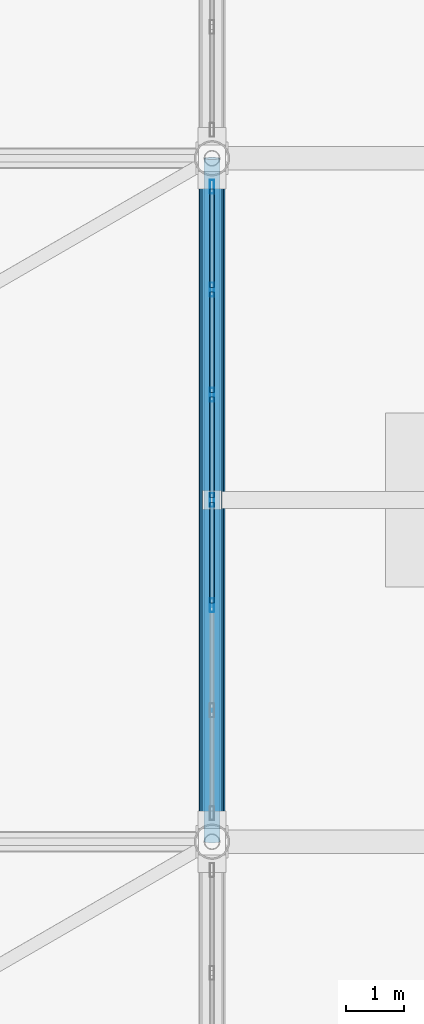
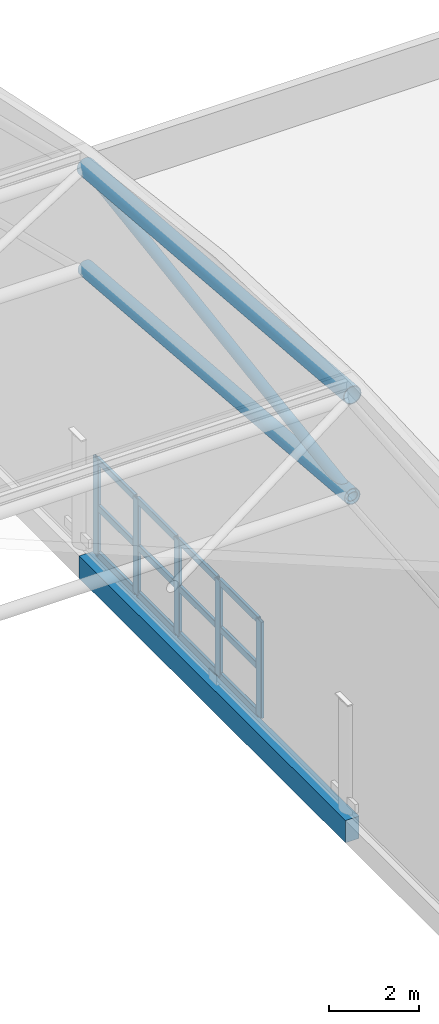
# One storey, part 60 of 135: 20 members, 1 beam, 1 element without a shape of its own.
"""IFC4 building model written with IfcOpenShell, lengths in metres."""

from ifc_helpers import new_model, si_unit, direction, frame, origin, origin_2d, place, context, subcontext, project, spatial, rectangle, hollow_rectangle, hollow_circle, extrude, material, material_profile, profile_set, type_object, element, aggregate, save


model = new_model("IFC4")

# Units and contexts
model_context = context("Model", 3, precision=1e-05, world=origin(), true_north=direction((0.0, 1.0)))
body_context = subcontext(model_context, "Body", "Model", "MODEL_VIEW")
ifc_project = project(units=[si_unit("LENGTHUNIT", "METRE"), si_unit("AREAUNIT", "SQUARE_METRE"), si_unit("VOLUMEUNIT", "CUBIC_METRE"), si_unit("PLANEANGLEUNIT", "RADIAN"), si_unit("MASSUNIT", "GRAM", prefix="KILO")], contexts=[model_context])

# Site, building, storey
site_placement = place(None, origin())
site = spatial("IfcSite", under=ifc_project, at=site_placement, CompositionType="ELEMENT")
building_placement = place(site_placement, origin())
building = spatial("IfcBuilding", under=site, at=building_placement, Name="Brelvane Convention Centre", CompositionType="ELEMENT")
storey_placement = place(building_placement, frame((0.0, 0.0, 15.0)))
storey = spatial("IfcBuildingStorey", under=building, at=storey_placement, Name="L03", CompositionType="ELEMENT", Elevation=15.0)

# Curtain wall, members
ifc_material_1 = material(Name="Anodised Aluminium Alloy 6063-T6", Category="aluminium")
curtain_wall_type = type_object("IfcCurtainWallType", Name="Curtain Wall CW-HULL-N", PredefinedType="USERDEFINED", material=ifc_material_1)
curtain_wall_placement = place(storey_placement, origin())
curtain_wall = element("IfcCurtainWall", 1, at=curtain_wall_placement, inside=storey, type_object=curtain_wall_type, Name="Curtain Wall CW-HULL-N L03-EXH-E-CLER-4", ObjectType="UNITISED", PredefinedType="USERDEFINED")
ifc_material_2 = material(Name="Anodised Aluminium Alloy 6063-T6", Category="aluminium")
ifc_material_profile_1 = material_profile(ifc_material_2, hollow_rectangle(XDim=0.080078125, YDim=0.239990234375, WallThickness=0.006103515625, InnerFilletRadius=0.006103515625, OuterFilletRadius=0.011962890625, at=origin_2d()), Name="ALU-M 240x80x6.0")
ifc_profile_set_1 = profile_set([ifc_material_profile_1], Name="Anodised Aluminium Alloy 6063-T6")
member_type_1 = type_object("IfcMemberType", Name="Curtain Mullion CW-M1", PredefinedType="MULLION", material=ifc_profile_set_1)
member_1_placement = place(storey_placement, frame((142.800048828125, 68.283447265625, 0.0), z_axis=(0.0, 0.0, 1.0), x_axis=(-1.0, 0.0, 0.0)))
member_1 = element("IfcMember", 2, at=member_1_placement, type_object=member_type_1, Name="CW-HULL-N mullion 3", PredefinedType="MULLION", context=body_context, shape_type="SweptSolid", body=[
    extrude(hollow_rectangle(XDim=0.080078125, YDim=0.239990234375, WallThickness=0.006103515625, InnerFilletRadius=0.006103515625, OuterFilletRadius=0.011962890625, at=origin_2d()), origin(), (0.0, 0.0, 1.0), 2.60009765625),
])
member_2_placement = place(storey_placement, frame((142.800048828125, 70.10009765625, 0.0), z_axis=(0.0, 0.0, 1.0), x_axis=(-1.0, 0.0, 0.0)))
member_2 = element("IfcMember", 3, at=member_2_placement, type_object=member_type_1, Name="CW-HULL-N mullion 4", PredefinedType="MULLION", context=body_context, shape_type="SweptSolid", body=[
    extrude(hollow_rectangle(XDim=0.080078125, YDim=0.239990234375, WallThickness=0.006103515625, InnerFilletRadius=0.006103515625, OuterFilletRadius=0.011962890625, at=origin_2d()), origin(), (0.0, 0.0, 1.0), 2.60009765625),
])
member_3_placement = place(storey_placement, frame((142.800048828125, 71.916748046875, 0.0), z_axis=(0.0, 0.0, 1.0), x_axis=(-1.0, 0.0, 0.0)))
member_3 = element("IfcMember", 4, at=member_3_placement, type_object=member_type_1, Name="CW-HULL-N mullion 5", PredefinedType="MULLION", context=body_context, shape_type="SweptSolid", body=[
    extrude(hollow_rectangle(XDim=0.080078125, YDim=0.239990234375, WallThickness=0.006103515625, InnerFilletRadius=0.006103515625, OuterFilletRadius=0.011962890625, at=origin_2d()), origin(), (0.0, 0.0, 1.0), 2.60009765625),
])
member_4_placement = place(storey_placement, frame((142.800048828125, 73.7333984375, 0.0), z_axis=(0.0, 0.0, 1.0), x_axis=(-1.0, 0.0, 0.0)))
member_4 = element("IfcMember", 5, at=member_4_placement, type_object=member_type_1, Name="CW-HULL-N mullion 6", PredefinedType="MULLION", context=body_context, shape_type="SweptSolid", body=[
    extrude(hollow_rectangle(XDim=0.080078125, YDim=0.239990234375, WallThickness=0.006103515625, InnerFilletRadius=0.006103515625, OuterFilletRadius=0.011962890625, at=origin_2d()), origin(), (0.0, 0.0, 1.0), 2.60009765625),
])
member_5_placement = place(storey_placement, frame((142.800048828125, 75.510009765625, 0.0), z_axis=(0.0, 0.0, 1.0), x_axis=(-1.0, 0.0, 0.0)))
member_5 = element("IfcMember", 6, at=member_5_placement, type_object=member_type_1, Name="CW-HULL-N mullion 7", PredefinedType="MULLION", context=body_context, shape_type="SweptSolid", body=[
    extrude(hollow_rectangle(XDim=0.080078125, YDim=0.239990234375, WallThickness=0.006103515625, InnerFilletRadius=0.006103515625, OuterFilletRadius=0.011962890625, at=origin_2d()), origin(), (0.0, 0.0, 1.0), 2.60009765625),
])
ifc_material_3 = material(Name="Anodised Aluminium Alloy 6063-T6", Category="aluminium")
ifc_material_profile_2 = material_profile(ifc_material_3, hollow_rectangle(XDim=0.080078125, YDim=0.179931640625, WallThickness=0.0048828125, InnerFilletRadius=0.0048828125, OuterFilletRadius=0.010009765625, at=origin_2d()), Name="ALU-T 180x80x5.0")
ifc_profile_set_2 = profile_set([ifc_material_profile_2], Name="Anodised Aluminium Alloy 6063-T6")
member_type_2 = type_object("IfcMemberType", Name="Curtain Transom CW-T1", PredefinedType="USERDEFINED", material=ifc_profile_set_2)
member_6_placement = place(storey_placement, frame((142.800048828125, 68.3232421875, 0.0400390625), z_axis=(0.0, 1.0, 0.0), x_axis=(-1.0, 0.0, 0.0)))
member_6 = element("IfcMember", 7, at=member_6_placement, type_object=member_type_2, Name="CW-HULL-N transom 3.1", ObjectType="TRANSOM", PredefinedType="USERDEFINED", context=body_context, shape_type="SweptSolid", body=[
    extrude(hollow_rectangle(XDim=0.080078125, YDim=0.179931640625, WallThickness=0.0048828125, InnerFilletRadius=0.0048828125, OuterFilletRadius=0.010009765625, at=origin_2d()), origin(), (0.0, 0.0, 1.0), 1.73681640625),
])
member_7_placement = place(storey_placement, frame((142.800048828125, 68.3232421875, 1.300048828125), z_axis=(0.0, 1.0, 0.0), x_axis=(-1.0, 0.0, 0.0)))
member_7 = element("IfcMember", 8, at=member_7_placement, type_object=member_type_2, Name="CW-HULL-N transom 3.2", ObjectType="TRANSOM", PredefinedType="USERDEFINED", context=body_context, shape_type="SweptSolid", body=[
    extrude(hollow_rectangle(XDim=0.080078125, YDim=0.179931640625, WallThickness=0.0048828125, InnerFilletRadius=0.0048828125, OuterFilletRadius=0.010009765625, at=origin_2d()), origin(), (0.0, 0.0, 1.0), 1.73681640625),
])
member_8_placement = place(storey_placement, frame((142.800048828125, 68.3232421875, 2.56005859375), z_axis=(0.0, 1.0, 0.0), x_axis=(-1.0, 0.0, 0.0)))
member_8 = element("IfcMember", 9, at=member_8_placement, type_object=member_type_2, Name="CW-HULL-N transom 3.3", ObjectType="TRANSOM", PredefinedType="USERDEFINED", context=body_context, shape_type="SweptSolid", body=[
    extrude(hollow_rectangle(XDim=0.080078125, YDim=0.179931640625, WallThickness=0.0048828125, InnerFilletRadius=0.0048828125, OuterFilletRadius=0.010009765625, at=origin_2d()), origin(), (0.0, 0.0, 1.0), 1.73681640625),
])
member_9_placement = place(storey_placement, frame((142.800048828125, 70.139892578125, 0.0400390625), z_axis=(0.0, 1.0, 0.0), x_axis=(-1.0, 0.0, 0.0)))
member_9 = element("IfcMember", 10, at=member_9_placement, type_object=member_type_2, Name="CW-HULL-N transom 4.1", ObjectType="TRANSOM", PredefinedType="USERDEFINED", context=body_context, shape_type="SweptSolid", body=[
    extrude(hollow_rectangle(XDim=0.080078125, YDim=0.179931640625, WallThickness=0.0048828125, InnerFilletRadius=0.0048828125, OuterFilletRadius=0.010009765625, at=origin_2d()), origin(), (0.0, 0.0, 1.0), 1.73681640625),
])
member_10_placement = place(storey_placement, frame((142.800048828125, 70.139892578125, 1.300048828125), z_axis=(0.0, 1.0, 0.0), x_axis=(-1.0, 0.0, 0.0)))
member_10 = element("IfcMember", 11, at=member_10_placement, type_object=member_type_2, Name="CW-HULL-N transom 4.2", ObjectType="TRANSOM", PredefinedType="USERDEFINED", context=body_context, shape_type="SweptSolid", body=[
    extrude(hollow_rectangle(XDim=0.080078125, YDim=0.179931640625, WallThickness=0.0048828125, InnerFilletRadius=0.0048828125, OuterFilletRadius=0.010009765625, at=origin_2d()), origin(), (0.0, 0.0, 1.0), 1.73681640625),
])
member_11_placement = place(storey_placement, frame((142.800048828125, 70.139892578125, 2.56005859375), z_axis=(0.0, 1.0, 0.0), x_axis=(-1.0, 0.0, 0.0)))
member_11 = element("IfcMember", 12, at=member_11_placement, type_object=member_type_2, Name="CW-HULL-N transom 4.3", ObjectType="TRANSOM", PredefinedType="USERDEFINED", context=body_context, shape_type="SweptSolid", body=[
    extrude(hollow_rectangle(XDim=0.080078125, YDim=0.179931640625, WallThickness=0.0048828125, InnerFilletRadius=0.0048828125, OuterFilletRadius=0.010009765625, at=origin_2d()), origin(), (0.0, 0.0, 1.0), 1.73681640625),
])
member_12_placement = place(storey_placement, frame((142.800048828125, 71.956787109375, 0.0400390625), z_axis=(0.0, 1.0, 0.0), x_axis=(-1.0, 0.0, 0.0)))
member_12 = element("IfcMember", 13, at=member_12_placement, type_object=member_type_2, Name="CW-HULL-N transom 5.1", ObjectType="TRANSOM", PredefinedType="USERDEFINED", context=body_context, shape_type="SweptSolid", body=[
    extrude(hollow_rectangle(XDim=0.080078125, YDim=0.179931640625, WallThickness=0.0048828125, InnerFilletRadius=0.0048828125, OuterFilletRadius=0.010009765625, at=origin_2d()), origin(), (0.0, 0.0, 1.0), 1.736572265625),
])
member_13_placement = place(storey_placement, frame((142.800048828125, 71.956787109375, 1.300048828125), z_axis=(0.0, 1.0, 0.0), x_axis=(-1.0, 0.0, 0.0)))
member_13 = element("IfcMember", 14, at=member_13_placement, type_object=member_type_2, Name="CW-HULL-N transom 5.2", ObjectType="TRANSOM", PredefinedType="USERDEFINED", context=body_context, shape_type="SweptSolid", body=[
    extrude(hollow_rectangle(XDim=0.080078125, YDim=0.179931640625, WallThickness=0.0048828125, InnerFilletRadius=0.0048828125, OuterFilletRadius=0.010009765625, at=origin_2d()), origin(), (0.0, 0.0, 1.0), 1.736572265625),
])
member_14_placement = place(storey_placement, frame((142.800048828125, 71.956787109375, 2.56005859375), z_axis=(0.0, 1.0, 0.0), x_axis=(-1.0, 0.0, 0.0)))
member_14 = element("IfcMember", 15, at=member_14_placement, type_object=member_type_2, Name="CW-HULL-N transom 5.3", ObjectType="TRANSOM", PredefinedType="USERDEFINED", context=body_context, shape_type="SweptSolid", body=[
    extrude(hollow_rectangle(XDim=0.080078125, YDim=0.179931640625, WallThickness=0.0048828125, InnerFilletRadius=0.0048828125, OuterFilletRadius=0.010009765625, at=origin_2d()), origin(), (0.0, 0.0, 1.0), 1.736572265625),
])
member_15_placement = place(storey_placement, frame((142.800048828125, 73.7734375, 0.0400390625), z_axis=(0.0, 1.0, 0.0), x_axis=(-1.0, 0.0, 0.0)))
member_15 = element("IfcMember", 16, at=member_15_placement, type_object=member_type_2, Name="CW-HULL-N transom 6.1", ObjectType="TRANSOM", PredefinedType="USERDEFINED", context=body_context, shape_type="SweptSolid", body=[
    extrude(hollow_rectangle(XDim=0.080078125, YDim=0.179931640625, WallThickness=0.0048828125, InnerFilletRadius=0.0048828125, OuterFilletRadius=0.010009765625, at=origin_2d()), origin(), (0.0, 0.0, 1.0), 1.696533203125),
])
member_16_placement = place(storey_placement, frame((142.800048828125, 73.7734375, 1.300048828125), z_axis=(0.0, 1.0, 0.0), x_axis=(-1.0, 0.0, 0.0)))
member_16 = element("IfcMember", 17, at=member_16_placement, type_object=member_type_2, Name="CW-HULL-N transom 6.2", ObjectType="TRANSOM", PredefinedType="USERDEFINED", context=body_context, shape_type="SweptSolid", body=[
    extrude(hollow_rectangle(XDim=0.080078125, YDim=0.179931640625, WallThickness=0.0048828125, InnerFilletRadius=0.0048828125, OuterFilletRadius=0.010009765625, at=origin_2d()), origin(), (0.0, 0.0, 1.0), 1.696533203125),
])
member_17_placement = place(storey_placement, frame((142.800048828125, 73.7734375, 2.56005859375), z_axis=(0.0, 1.0, 0.0), x_axis=(-1.0, 0.0, 0.0)))
member_17 = element("IfcMember", 18, at=member_17_placement, type_object=member_type_2, Name="CW-HULL-N transom 6.3", ObjectType="TRANSOM", PredefinedType="USERDEFINED", context=body_context, shape_type="SweptSolid", body=[
    extrude(hollow_rectangle(XDim=0.080078125, YDim=0.179931640625, WallThickness=0.0048828125, InnerFilletRadius=0.0048828125, OuterFilletRadius=0.010009765625, at=origin_2d()), origin(), (0.0, 0.0, 1.0), 1.696533203125),
])
aggregate(curtain_wall, [member_1, member_2, member_3, member_4, member_5, member_6, member_7, member_8, member_9, member_10, member_11, member_12, member_13, member_14, member_15, member_16, member_17])

# Beam
ifc_material_4 = material(Name="Concrete M40", Category="concrete")
ifc_material_profile_3 = material_profile(ifc_material_4, rectangle(XDim=0.35009765625, YDim=0.60009765625, at=origin_2d()), Name="RC 350x600")
ifc_profile_set_3 = profile_set([ifc_material_profile_3], Name="Concrete M40")
beam_type = type_object("IfcBeamType", Name="RC Spandrel SP-RC2 (RC 350x600)", PredefinedType="SPANDREL", material=ifc_profile_set_3)
beam_placement = place(storey_placement, frame((142.800048828125, 64.199951171875, -0.60009765625), z_axis=(0.0, 1.0, 0.0), x_axis=(-1.0, 0.0, 0.0)))
element("IfcBeam", 19, at=beam_placement, inside=storey, type_object=beam_type, Name="L03 Girder 15/G-H", PredefinedType="SPANDREL", context=body_context, shape_type="SweptSolid", body=[
    extrude(rectangle(XDim=0.35009765625, YDim=0.60009765625, at=origin_2d()), origin(), (0.0, 0.0, 1.0), 11.800048828125),
])

# Members
ifc_material_5 = material(Name="Steel E350 (350 MPa)", Category="steel")
ifc_material_profile_4 = material_profile(ifc_material_5, hollow_circle(Radius=0.136474609375, WallThickness=0.012451171875, at=origin_2d()), Name="CHS 273.0x12.5")
ifc_profile_set_4 = profile_set([ifc_material_profile_4], Name="Steel E350 (350 MPa)")
member_type_3 = type_object("IfcMemberType", Name="Steel Brace SF-DG1 (CHS 273.0x12.5)", PredefinedType="BRACE", material=ifc_profile_set_4)
member_18_placement = place(storey_placement, frame((142.800048828125, 64.199951171875, 8.39990234375), z_axis=(0.0, 0.989032056502, 0.147701019672), x_axis=(-1.0, 0.0, 0.0)))
element("IfcMember", 20, at=member_18_placement, inside=storey, type_object=member_type_3, Name="SF_EXH Space-Frame Web Diagonal D8.4", PredefinedType="BRACE", context=body_context, shape_type="SweptSolid", body=[
    extrude(hollow_circle(Radius=0.136474609375, WallThickness=0.012451171875, at=origin_2d()), origin(), (0.0, 0.0, 1.0), 11.930908203125),
])
ifc_material_6 = material(Name="Steel E450 (450 MPa)", Category="steel")
ifc_material_profile_5 = material_profile(ifc_material_6, hollow_circle(Radius=0.203125, WallThickness=0.01611328125, at=origin_2d()), Name="CHS 406.4x16.0")
ifc_profile_set_5 = profile_set([ifc_material_profile_5], Name="Steel E450 (450 MPa)")
member_type_4 = type_object("IfcMemberType", Name="Steel Chord SF-BC1 (CHS 406.4x16.0)", PredefinedType="CHORD", material=ifc_profile_set_5)
member_19_placement = place(storey_placement, frame((142.800048828125, 64.199951171875, 8.39990234375), z_axis=(0.0, 0.996584470208, -0.082579620615), x_axis=(-1.0, 0.0, 0.0)))
element("IfcMember", 21, at=member_19_placement, inside=storey, type_object=member_type_4, Name="SF_EXH Space-Frame Bottom Chord B8.4", PredefinedType="CHORD", context=body_context, shape_type="SweptSolid", body=[
    extrude(hollow_circle(Radius=0.203125, WallThickness=0.01611328125, at=origin_2d()), origin(), (0.0, 0.0, 1.0), 11.840576171875),
])
ifc_material_7 = material(Name="Steel E450 (450 MPa)", Category="steel")
ifc_material_profile_6 = material_profile(ifc_material_7, hollow_circle(Radius=0.228515625, WallThickness=0.02001953125, at=origin_2d()), Name="CHS 457.0x20.0")
ifc_profile_set_6 = profile_set([ifc_material_profile_6], Name="Steel E450 (450 MPa)")
member_type_5 = type_object("IfcMemberType", Name="Steel Chord SF-TC1 (CHS 457.0x20.0)", PredefinedType="CHORD", material=ifc_profile_set_6)
member_20_placement = place(storey_placement, frame((142.800048828125, 64.199951171875, 11.139892578125), z_axis=(0.0, 0.996584470208, -0.082579620615), x_axis=(-1.0, 0.0, 0.0)))
element("IfcMember", 22, at=member_20_placement, inside=storey, type_object=member_type_5, Name="SF_EXH Space-Frame Top Chord T8.4", PredefinedType="CHORD", context=body_context, shape_type="SweptSolid", body=[
    extrude(hollow_circle(Radius=0.228515625, WallThickness=0.02001953125, at=origin_2d()), origin(), (0.0, 0.0, 1.0), 11.840576171875),
])

save(model, "model.ifc")
